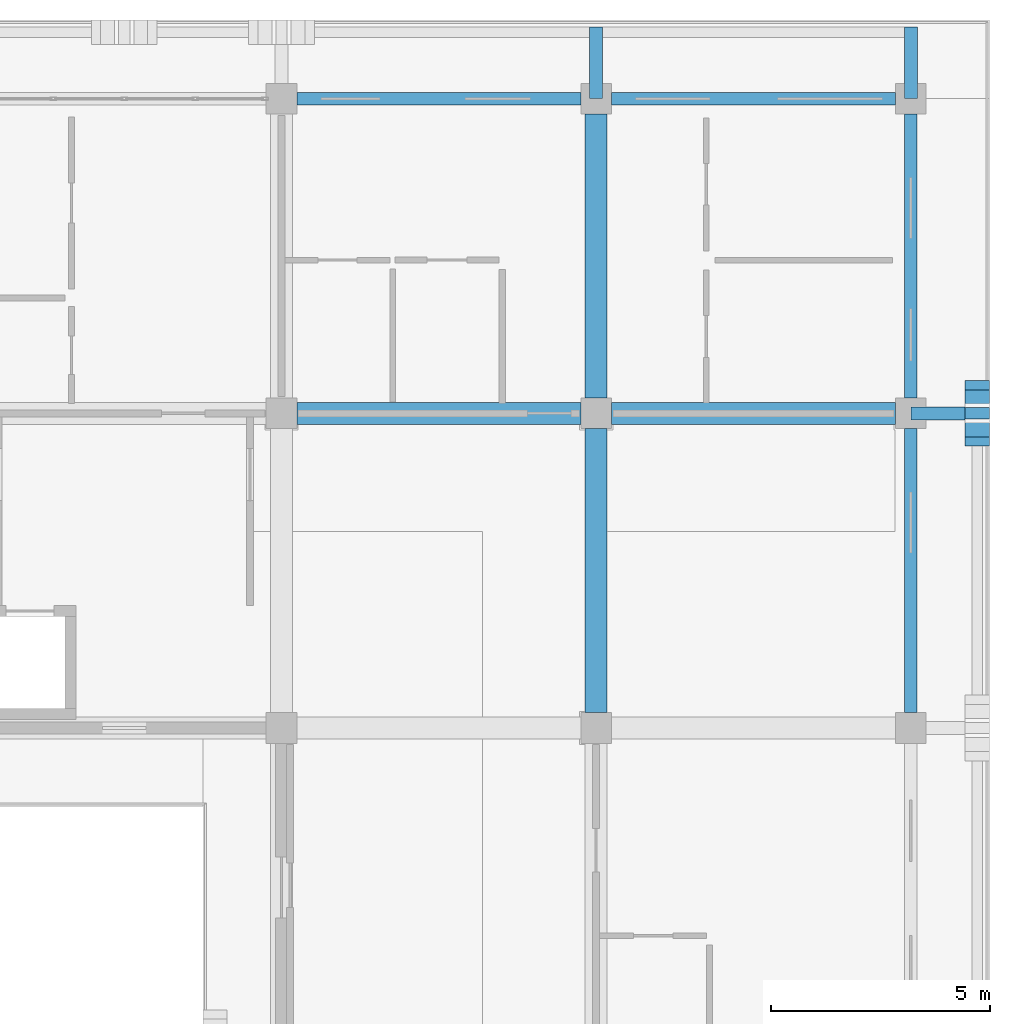
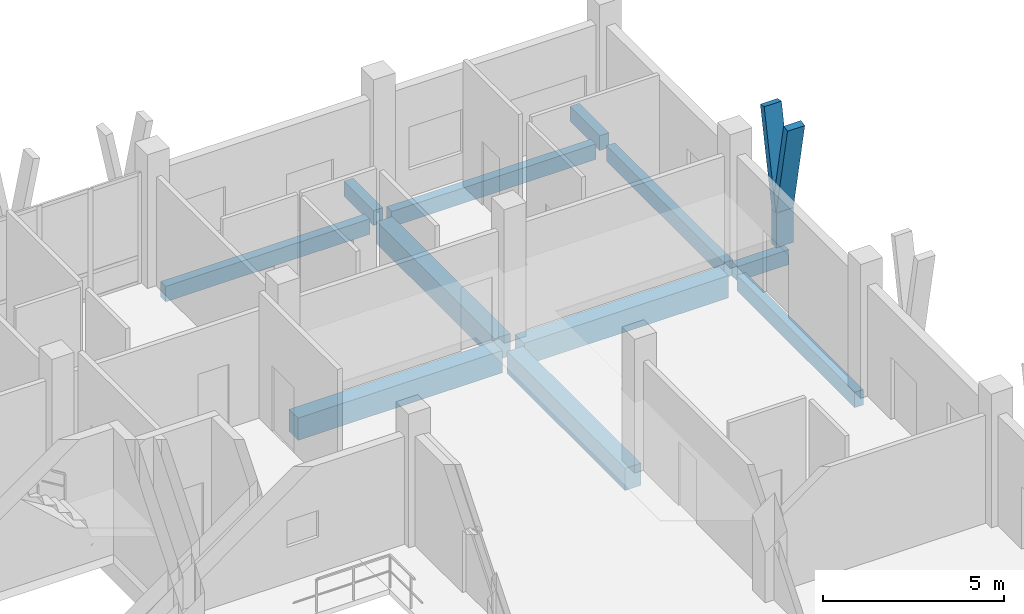
# One storey, part 55 of 110: 11 beams, 3 members.
"""IFC4 building model written with IfcOpenShell, lengths in metres."""

from ifc_helpers import new_model, si_unit, direction, frame, origin, origin_2d, place, context, subcontext, project, spatial, rectangle, extrude, material, material_profile, profile_set, type_object, element, save


model = new_model("IFC4")

# Units and contexts
model_context = context("Model", 3, precision=1e-05, world=origin(), true_north=direction((0.0, 1.0)))
body_context = subcontext(model_context, "Body", "Model", "MODEL_VIEW")
ifc_project = project(units=[si_unit("LENGTHUNIT", "METRE"), si_unit("AREAUNIT", "SQUARE_METRE"), si_unit("VOLUMEUNIT", "CUBIC_METRE"), si_unit("PLANEANGLEUNIT", "RADIAN"), si_unit("MASSUNIT", "GRAM", prefix="KILO")], contexts=[model_context])

# Site, building, storey
site_placement = place(None, origin())
site = spatial("IfcSite", under=ifc_project, at=site_placement, CompositionType="ELEMENT")
building_placement = place(site_placement, origin())
building = spatial("IfcBuilding", under=site, at=building_placement, Name="Suanplinth Sawtooth Commons", CompositionType="ELEMENT")
storey_placement = place(building_placement, frame((0.0, 0.0, 4.5)))
storey = spatial("IfcBuildingStorey", under=building, at=storey_placement, Name="L01", CompositionType="ELEMENT", Elevation=4.5)

# Beams
ifc_material_1 = material(Name="Concrete C40/50", Category="concrete")
ifc_material_profile_1 = material_profile(ifc_material_1, rectangle(XDim=0.5, YDim=0.75, at=origin_2d()), Name="RC-GDR 500x750")
ifc_profile_set_1 = profile_set([ifc_material_profile_1], Name="Concrete C40/50")
beam_type_1 = type_object("IfcBeamType", Name="B-03", PredefinedType="USERDEFINED", material=ifc_profile_set_1)
for number, where, z_axis, x_axis, name in (
    (1, (173.14990234375, 115.199951171875, -0.675048828125), (1.0, 0.0, 0.0), (0.0, 1.0, 0.0), "BMX-L01-B-24-16"),
    (2, (180.35009765625, 115.199951171875, -0.675048828125), (1.0, 0.0, 0.0), (0.0, 1.0, 0.0), "BMX-L01-B-25-16"),
    (3, (180.0, 108.35009765625, -0.675048828125), (0.0, 1.0, 0.0), (-1.0, 0.0, 0.0), "BMY-L01-B-25-15"),
    (4, (180.0, 115.550048828125, -0.675048828125), (0.0, 1.0, 0.0), (-1.0, 0.0, 0.0), "BMY-L01-B-25-16"),
):
    element("IfcBeam", number, at=place(storey_placement, frame(where, z_axis=z_axis, x_axis=x_axis)), inside=storey, type_object=beam_type_1, Name=name, ObjectType="GIRDER", PredefinedType="USERDEFINED", context=body_context, shape_type="SweptSolid", body=[
        extrude(rectangle(XDim=0.5, YDim=0.75, at=origin_2d()), origin(), (0.0, 0.0, 1.0), 6.5),
    ])
ifc_material_2 = material(Name="Precast concrete C40/50", Category="concrete")
ifc_material_profile_2 = material_profile(ifc_material_2, rectangle(XDim=0.300048828125, YDim=0.5, at=origin_2d()), Name="PC-BM 300x500")
ifc_profile_set_2 = profile_set([ifc_material_profile_2], Name="Precast concrete C40/50")
beam_type_2 = type_object("IfcBeamType", Name="B-07", PredefinedType="BEAM", material=ifc_profile_set_2)
for number, where, z_axis, x_axis, name in (
    (5, (180.0, 122.39990234375, -0.429931640625), (0.0, 1.0, 0.0), (-1.0, 0.0, 0.0), "Balcony Outrigger L01-B-N-25"),
    (6, (187.199951171875, 122.39990234375, -0.429931640625), (0.0, 1.0, 0.0), (-1.0, 0.0, 0.0), "Balcony Outrigger L01-B-N-26"),
    (7, (187.199951171875, 115.199951171875, -0.429931640625), (1.0, 0.0, 0.0), (0.0, 1.0, 0.0), "Balcony Outrigger L01-B-E-16"),
):
    element("IfcBeam", number, at=place(storey_placement, frame(where, z_axis=z_axis, x_axis=x_axis)), inside=storey, type_object=beam_type_2, Name=name, PredefinedType="BEAM", context=body_context, shape_type="SweptSolid", body=[
        extrude(rectangle(XDim=0.300048828125, YDim=0.5, at=origin_2d()), origin(), (0.0, 0.0, 1.0), 1.64013671875),
    ])
ifc_material_profile_3 = material_profile(ifc_material_2, rectangle(XDim=0.280029296875, YDim=0.52001953125, at=origin_2d()), Name="PC-SP 280x520")
ifc_profile_set_3 = profile_set([ifc_material_profile_3], Name="Precast concrete C40/50")
beam_type_3 = type_object("IfcBeamType", Name="B-08", PredefinedType="SPANDREL", material=ifc_profile_set_3)
for number, where, z_axis, x_axis, name in (
    (8, (173.14990234375, 122.39990234375, -0.56005859375), (1.0, 0.0, 0.0), (0.0, 1.0, 0.0), "BMX-L01-B-24-17"),
    (9, (180.35009765625, 122.39990234375, -0.56005859375), (1.0, 0.0, 0.0), (0.0, 1.0, 0.0), "BMX-L01-B-25-17"),
    (10, (187.199951171875, 108.35009765625, -0.56005859375), (0.0, 1.0, 0.0), (-1.0, 0.0, 0.0), "BMY-L01-B-26-15"),
    (11, (187.199951171875, 115.550048828125, -0.56005859375), (0.0, 1.0, 0.0), (-1.0, 0.0, 0.0), "BMY-L01-B-26-16"),
):
    element("IfcBeam", number, at=place(storey_placement, frame(where, z_axis=z_axis, x_axis=x_axis)), inside=storey, type_object=beam_type_3, Name=name, PredefinedType="SPANDREL", context=body_context, shape_type="SweptSolid", body=[
        extrude(rectangle(XDim=0.280029296875, YDim=0.52001953125, at=origin_2d()), origin(), (0.0, 0.0, 1.0), 6.5),
    ])

# Members
ifc_material_3 = material(Name="Pigmented precast concrete C40/50", Category="concrete")
ifc_material_profile_4 = material_profile(ifc_material_3, rectangle(XDim=0.260009765625, YDim=0.550048828125, at=origin_2d()), Name="PC-FIN 260x550")
ifc_profile_set_4 = profile_set([ifc_material_profile_4], Name="Pigmented precast concrete C40/50")
member_type_1 = type_object("IfcMemberType", Name="M-09", PredefinedType="USERDEFINED", material=ifc_profile_set_4)
member_1_placement = place(storey_placement, frame((188.719970703125, 115.199951171875, 0.0), z_axis=(0.0, 0.0, 1.0), x_axis=(0.0, 1.0, 0.0)))
element("IfcMember", 12, at=member_1_placement, inside=storey, type_object=member_type_1, Name="Y-Blade Stem L01-B-E-14", ObjectType="SHADING FIN", PredefinedType="USERDEFINED", context=body_context, shape_type="SweptSolid", body=[
    extrude(rectangle(XDim=0.260009765625, YDim=0.550048828125, at=origin_2d()), origin(), (0.0, 0.0, 1.0), 1.169921875),
])
ifc_material_profile_5 = material_profile(ifc_material_3, rectangle(XDim=0.219970703125, YDim=0.550048828125, at=origin_2d()), Name="PC-FIN 220x550")
ifc_profile_set_5 = profile_set([ifc_material_profile_5], Name="Pigmented precast concrete C40/50")
member_type_2 = type_object("IfcMemberType", Name="M-10", PredefinedType="USERDEFINED", material=ifc_profile_set_5)
member_2_placement = place(storey_placement, frame((188.719970703125, 115.199951171875, 1.1298828125), z_axis=(0.0, -0.197510991436, 0.980300672377), x_axis=(0.0, 0.980300672377, 0.197510991436)))
element("IfcMember", 13, at=member_2_placement, inside=storey, type_object=member_type_2, Name="Y-Blade Arm L L01-B-E-14", ObjectType="SHADING FIN", PredefinedType="USERDEFINED", context=body_context, shape_type="SweptSolid", body=[
    extrude(rectangle(XDim=0.219970703125, YDim=0.550048828125, at=origin_2d()), origin(), (0.0, 0.0, 1.0), 3.264404296875),
])
member_3_placement = place(storey_placement, frame((188.719970703125, 115.199951171875, 1.1298828125), z_axis=(0.0, 0.197582858822, 0.980286189793), x_axis=(0.0, -0.980286189793, 0.197582858822)))
element("IfcMember", 14, at=member_3_placement, inside=storey, type_object=member_type_2, Name="Y-Blade Arm R L01-B-E-14", ObjectType="SHADING FIN", PredefinedType="USERDEFINED", context=body_context, shape_type="SweptSolid", body=[
    extrude(rectangle(XDim=0.219970703125, YDim=0.550048828125, at=origin_2d()), origin(), (0.0, 0.0, 1.0), 3.2646484375),
])

save(model, "model.ifc")
